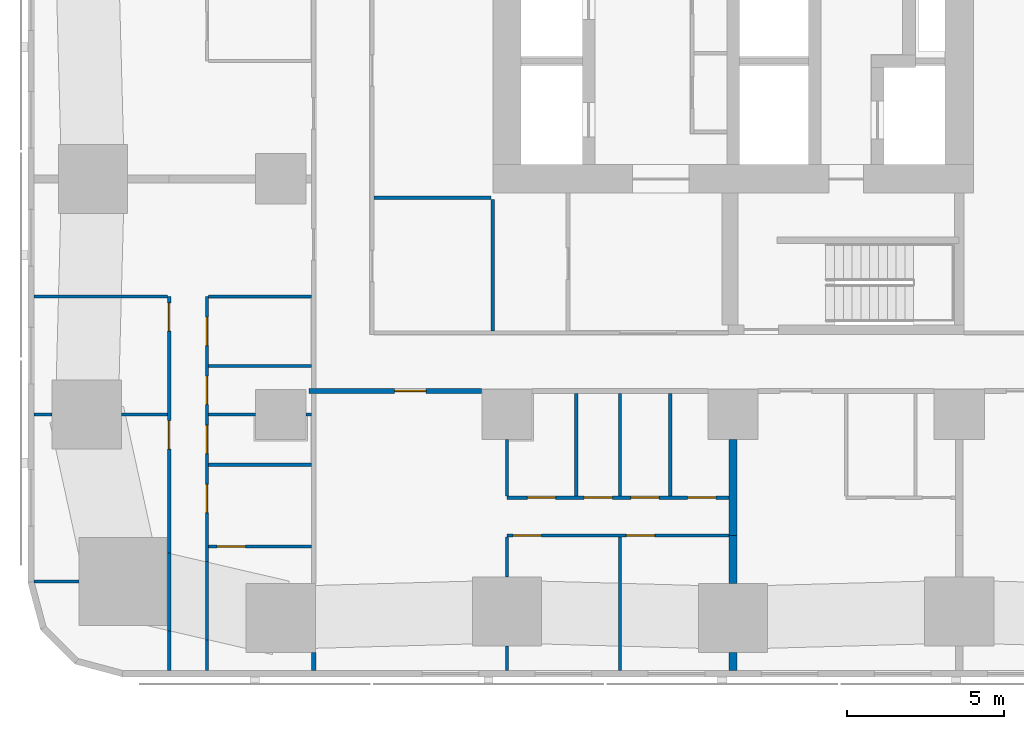
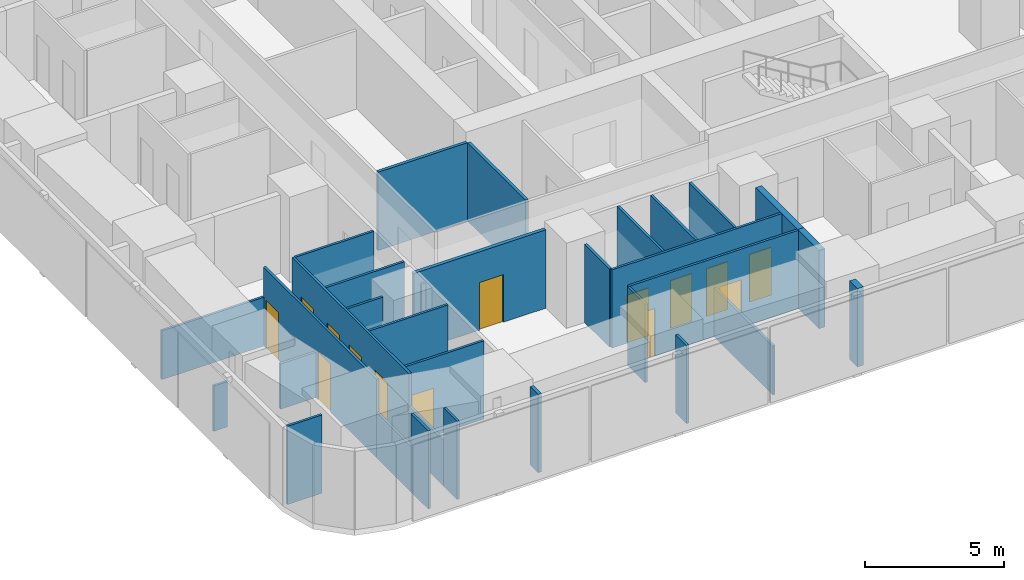
# One storey, part 2 of 14: 32 walls, 14 doors, 14 openings.
"""IFC4 building model written with IfcOpenShell, lengths in metres."""

from ifc_helpers import new_model, si_unit, direction, frame, frame_2d, origin, place, context, subcontext, project, spatial, rectangle, extrude, material, layer, layer_set, type_object, element, fill, save


model = new_model("IFC4")

# Units and contexts
model_context = context("Model", 3, precision=1e-05, world=origin(), true_north=direction((0.0, 1.0)))
body_context = subcontext(model_context, "Body", "Model", "MODEL_VIEW")
ifc_project = project(units=[si_unit("LENGTHUNIT", "METRE"), si_unit("AREAUNIT", "SQUARE_METRE"), si_unit("VOLUMEUNIT", "CUBIC_METRE"), si_unit("PLANEANGLEUNIT", "RADIAN"), si_unit("MASSUNIT", "GRAM", prefix="KILO")], contexts=[model_context])

# Site, building, storey
site_placement = place(None, origin())
site = spatial("IfcSite", under=ifc_project, at=site_placement, CompositionType="ELEMENT")
building_placement = place(site_placement, origin())
building = spatial("IfcBuilding", under=site, at=building_placement, Name="Sheger Commons Tower", CompositionType="ELEMENT")
storey_placement = place(building_placement, frame((0.0, 0.0, 126.64990234375)))
storey = spatial("IfcBuildingStorey", under=building, at=storey_placement, Name="L32", CompositionType="ELEMENT", Elevation=126.64990234375)

# Wall
ifc_material_1 = material(Name="Hollow concrete block masonry, skimmed both sides", Category="masonry")
ifc_layer_1 = layer(ifc_material_1, 0.14990234375)
ifc_layer_set_1 = layer_set([ifc_layer_1], Name="CORRIDOR WALL 150")
wall_type_1 = type_object("IfcWallType", Name="CORRIDOR WALL 150", PredefinedType="SOLIDWALL", material=ifc_layer_set_1)
wall_1_placement = place(storey_placement, frame((8.25, -0.64990234375, 0.0), z_axis=(0.0, 0.0, 1.0), x_axis=(0.0, 1.0, 0.0)))
element("IfcWall", 1, at=wall_1_placement, inside=storey, type_object=wall_type_1, Name="Corridor wall L32", PredefinedType="SOLIDWALL", context=body_context, shape_type="SweptSolid", body=[
    extrude(rectangle(XDim=0.573974609375, YDim=0.14990234375, at=frame_2d((0.287109375, 0.0))), origin(), (0.0, 0.0, 1.0), 3.4501953125),
])

# Wall, opening, door
wall_2_placement = place(storey_placement, frame((13.59912109375, 8.25, 0.0), z_axis=(0.0, 0.0, 1.0), x_axis=(-1.0, 0.0, 0.0)))
wall_2 = element("IfcWall", 2, at=wall_2_placement, inside=storey, type_object=wall_type_1, Name="Corridor wall L32", PredefinedType="SOLIDWALL", context=body_context, shape_type="SweptSolid", body=[
    extrude(rectangle(XDim=5.4990234375, YDim=0.14990234375, at=frame_2d((2.74951171875, 0.0))), origin(), (0.0, 0.0, 1.0), 3.4501953125),
])
opening_1_placement = place(wall_2_placement, frame((1.77392578125, 0.0, 0.0)))
opening_1 = element("IfcOpeningElement", 3, at=opening_1_placement, cuts=wall_2, Name="Opening D1", PredefinedType="OPENING", context=body_context, shape_type="SweptSolid", body=[
    extrude(rectangle(XDim=1.0, YDim=2.10009765625, at=frame_2d((0.5, 1.050048828125))), frame((0.0, 0.0849609375, 0.0), z_axis=(0.0, -1.0, 0.0), x_axis=(1.0, 0.0, 0.0)), (0.0, 0.0, 1.0), 0.169921875),
])
ifc_material_2 = material(Name="Steel door set, fire rated", Category="steel")
door_type_1 = type_object("IfcDoorType", Name="FLAT ENTRANCE DOOR 1000x2100", OperationType="NOTDEFINED", PredefinedType="DOOR", material=ifc_material_2)
door_1_placement = place(opening_1_placement, origin())
door_1 = element("IfcDoor", 4, at=door_1_placement, inside=storey, type_object=door_type_1, Name="Flat entrance door", OperationType="SINGLE_SWING_RIGHT", OverallHeight=2.10009765625, OverallWidth=1.0, PredefinedType="DOOR", context=body_context, shape_type="SweptSolid", body=[
    extrude(rectangle(XDim=1.0, YDim=2.10009765625, at=frame_2d((0.5, 1.050048828125))), frame((0.0, 0.02490234375, 0.0), z_axis=(0.0, -1.0, 0.0), x_axis=(1.0, 0.0, 0.0)), (0.0, 0.0, 1.0), 0.050048828125),
])
fill(opening_1, door_1)

# Walls
ifc_material_3 = material(Name="Dense concrete block masonry, plastered both sides (separating wall between flats)", Category="masonry")
ifc_layer_2 = layer(ifc_material_3, 0.25)
ifc_layer_set_2 = layer_set([ifc_layer_2], Name="DEMISING WALL 250")
wall_type_2 = type_object("IfcWallType", Name="DEMISING WALL 250", PredefinedType="SOLIDWALL", material=ifc_layer_set_2)
wall_3_placement = place(storey_placement, frame((21.60009765625, -0.64990234375, 0.0), z_axis=(0.0, 0.0, 1.0), x_axis=(0.0, 1.0, 0.0)))
element("IfcWall", 5, at=wall_3_placement, inside=storey, type_object=wall_type_2, Name="Demising wall L32", PredefinedType="SOLIDWALL", context=body_context, shape_type="SweptSolid", body=[
    extrude(rectangle(XDim=0.573974609375, YDim=0.25, at=frame_2d((0.287109375, 0.0))), origin(), (0.0, 0.0, 1.0), 3.4501953125),
])
wall_4_placement = place(storey_placement, frame((21.60009765625, 2.1259765625, 0.0), z_axis=(0.0, 0.0, 1.0), x_axis=(0.0, 1.0, 0.0)))
element("IfcWall", 6, at=wall_4_placement, inside=storey, type_object=wall_type_2, Name="Demising wall L32", PredefinedType="SOLIDWALL", context=body_context, shape_type="SweptSolid", body=[
    extrude(rectangle(XDim=1.52392578125, YDim=0.25, at=frame_2d((0.761962890625, 0.0))), origin(), (0.0, 0.0, 1.0), 3.4501953125),
])
wall_5_placement = place(storey_placement, frame((21.60009765625, 3.64990234375, 0.0), z_axis=(0.0, 0.0, 1.0), x_axis=(0.0, 1.0, 0.0)))
element("IfcWall", 7, at=wall_5_placement, inside=storey, type_object=wall_type_2, Name="Demising wall L32", PredefinedType="SOLIDWALL", context=body_context, shape_type="SweptSolid", body=[
    extrude(rectangle(XDim=3.049072265625, YDim=0.25, at=frame_2d((1.5244140625, 0.0))), origin(), (0.0, 0.0, 1.0), 3.4501953125),
])
ifc_material_4 = material(Name="Gypsum board on steel studs", Category="steel")
ifc_layer_3 = layer(ifc_material_4, 0.10009765625)
ifc_layer_set_3 = layer_set([ifc_layer_3], Name="PARTITION 100")
wall_type_3 = type_object("IfcWallType", Name="PARTITION 100", PredefinedType="PARTITIONING", material=ifc_layer_set_3)
wall_6_placement = place(storey_placement, frame((3.64990234375, -0.64990234375, 0.0), z_axis=(0.0, 0.0, 1.0), x_axis=(0.0, 1.0, 0.0)))
element("IfcWall", 8, at=wall_6_placement, inside=storey, type_object=wall_type_3, Name="Partition L32", PredefinedType="PARTITIONING", context=body_context, shape_type="SweptSolid", body=[
    extrude(rectangle(XDim=1.25390625, YDim=0.10009765625, at=frame_2d((0.626953125, 0.0))), origin(), (0.0, 0.0, 1.0), 3.4501953125),
])
wall_7_placement = place(storey_placement, frame((3.64990234375, 0.60400390625, 0.0), z_axis=(0.0, 0.0, 1.0), x_axis=(0.0, 1.0, 0.0)))
element("IfcWall", 9, at=wall_7_placement, inside=storey, type_object=wall_type_3, Name="Partition L32", PredefinedType="PARTITIONING", context=body_context, shape_type="SweptSolid", body=[
    extrude(rectangle(XDim=2.486083984375, YDim=0.10009765625, at=frame_2d((1.2431640625, 0.0))), origin(), (0.0, 0.0, 1.0), 2.0),
])

# Wall, openings, doors
wall_8_placement = place(storey_placement, frame((3.64990234375, 3.090087890625, 0.0), z_axis=(0.0, 0.0, 1.0), x_axis=(0.0, 1.0, 0.0)))
wall_8 = element("IfcWall", 10, at=wall_8_placement, inside=storey, type_object=wall_type_3, Name="Partition L32", PredefinedType="PARTITIONING", context=body_context, shape_type="SweptSolid", body=[
    extrude(rectangle(XDim=8.159912109375, YDim=0.10009765625, at=frame_2d((4.080078125, 0.0))), origin(), (0.0, 0.0, 1.0), 3.4501953125),
])
opening_2_placement = place(wall_8_placement, frame((7.06005859375, 0.0, 0.0)))
opening_2 = element("IfcOpeningElement", 11, at=opening_2_placement, cuts=wall_8, Name="Opening D2", PredefinedType="OPENING", context=body_context, shape_type="SweptSolid", body=[
    extrude(rectangle(XDim=0.89990234375, YDim=2.10009765625, at=frame_2d((0.449951171875, 1.050048828125))), frame((0.0, 0.06005859375, 0.0), z_axis=(0.0, -1.0, 0.0), x_axis=(1.0, 0.0, 0.0)), (0.0, 0.0, 1.0), 0.1201171875),
])
opening_3_placement = place(wall_8_placement, frame((3.31005859375, 0.0, 0.0)))
opening_3 = element("IfcOpeningElement", 12, at=opening_3_placement, cuts=wall_8, Name="Opening D2", PredefinedType="OPENING", context=body_context, shape_type="SweptSolid", body=[
    extrude(rectangle(XDim=0.89990234375, YDim=2.10009765625, at=frame_2d((0.449951171875, 1.050048828125))), frame((0.0, 0.06005859375, 0.0), z_axis=(0.0, -1.0, 0.0), x_axis=(1.0, 0.0, 0.0)), (0.0, 0.0, 1.0), 0.1201171875),
])
ifc_material_5 = material(Name="Timber door set", Category="wood")
door_type_2 = type_object("IfcDoorType", Name="INTERNAL DOOR 900x2100", OperationType="NOTDEFINED", PredefinedType="DOOR", material=ifc_material_5)
door_2_placement = place(opening_2_placement, origin())
door_2 = element("IfcDoor", 13, at=door_2_placement, inside=storey, type_object=door_type_2, Name="Main bedroom door", OperationType="SINGLE_SWING_RIGHT", OverallHeight=2.10009765625, OverallWidth=0.89990234375, PredefinedType="DOOR", context=body_context, shape_type="SweptSolid", body=[
    extrude(rectangle(XDim=0.89990234375, YDim=2.10009765625, at=frame_2d((0.449951171875, 1.050048828125))), frame((0.0, 0.02490234375, 0.0), z_axis=(0.0, -1.0, 0.0), x_axis=(1.0, 0.0, 0.0)), (0.0, 0.0, 1.0), 0.050048828125),
])
fill(opening_2, door_2)
door_3_placement = place(opening_3_placement, origin())
door_3 = element("IfcDoor", 14, at=door_3_placement, inside=storey, type_object=door_type_2, Name="Bedroom 2 door", OperationType="SINGLE_SWING_RIGHT", OverallHeight=2.10009765625, OverallWidth=0.89990234375, PredefinedType="DOOR", context=body_context, shape_type="SweptSolid", body=[
    extrude(rectangle(XDim=0.89990234375, YDim=2.10009765625, at=frame_2d((0.449951171875, 1.050048828125))), frame((0.0, 0.02490234375, 0.0), z_axis=(0.0, -1.0, 0.0), x_axis=(1.0, 0.0, 0.0)), (0.0, 0.0, 1.0), 0.050048828125),
])
fill(opening_3, door_3)

# Walls
wall_9_placement = place(storey_placement, frame((4.85009765625, -0.64990234375, 0.0), z_axis=(0.0, 0.0, 1.0), x_axis=(0.0, 1.0, 0.0)))
element("IfcWall", 15, at=wall_9_placement, inside=storey, type_object=wall_type_3, Name="Partition L32", PredefinedType="PARTITIONING", context=body_context, shape_type="SweptSolid", body=[
    extrude(rectangle(XDim=0.975830078125, YDim=0.10009765625, at=frame_2d((0.48779296875, 0.0))), origin(), (0.0, 0.0, 1.0), 3.4501953125),
])
wall_10_placement = place(storey_placement, frame((4.85009765625, 0.325927734375, 0.0), z_axis=(0.0, 0.0, 1.0), x_axis=(0.0, 1.0, 0.0)))
element("IfcWall", 16, at=wall_10_placement, inside=storey, type_object=wall_type_3, Name="Partition L32", PredefinedType="PARTITIONING", context=body_context, shape_type="SweptSolid", body=[
    extrude(rectangle(XDim=2.486083984375, YDim=0.10009765625, at=frame_2d((1.2431640625, 0.0))), origin(), (0.0, 0.0, 1.0), 2.0),
])

# Wall, openings, doors
wall_11_placement = place(storey_placement, frame((4.85009765625, 2.81201171875, 0.0), z_axis=(0.0, 0.0, 1.0), x_axis=(0.0, 1.0, 0.0)))
wall_11 = element("IfcWall", 17, at=wall_11_placement, inside=storey, type_object=wall_type_3, Name="Partition L32", PredefinedType="PARTITIONING", context=body_context, shape_type="SweptSolid", body=[
    extrude(rectangle(XDim=8.43798828125, YDim=0.10009765625, at=frame_2d((4.218994140625, 0.0))), origin(), (0.0, 0.0, 1.0), 3.4501953125),
])
opening_4_placement = place(wall_11_placement, frame((6.883056640625, 0.0, 0.0)))
opening_4 = element("IfcOpeningElement", 18, at=opening_4_placement, cuts=wall_11, Name="Opening D2", PredefinedType="OPENING", context=body_context, shape_type="SweptSolid", body=[
    extrude(rectangle(XDim=0.89990234375, YDim=2.10009765625, at=frame_2d((0.449951171875, 1.050048828125))), frame((0.0, 0.06005859375, 0.0), z_axis=(0.0, -1.0, 0.0), x_axis=(1.0, 0.0, 0.0)), (0.0, 0.0, 1.0), 0.1201171875),
])
opening_5_placement = place(wall_11_placement, frame((3.43798828125, 0.0, 0.0)))
opening_5 = element("IfcOpeningElement", 19, at=opening_5_placement, cuts=wall_11, Name="Opening D2", PredefinedType="OPENING", context=body_context, shape_type="SweptSolid", body=[
    extrude(rectangle(XDim=0.89990234375, YDim=2.10009765625, at=frame_2d((0.449951171875, 1.050048828125))), frame((0.0, 0.06005859375, 0.0), z_axis=(0.0, -1.0, 0.0), x_axis=(1.0, 0.0, 0.0)), (0.0, 0.0, 1.0), 0.1201171875),
])
opening_6_placement = place(wall_11_placement, frame((5.008056640625, 0.0, 0.0)))
opening_6 = element("IfcOpeningElement", 20, at=opening_6_placement, cuts=wall_11, Name="Opening D2", PredefinedType="OPENING", context=body_context, shape_type="SweptSolid", body=[
    extrude(rectangle(XDim=0.89990234375, YDim=2.10009765625, at=frame_2d((0.449951171875, 1.050048828125))), frame((0.0, 0.06005859375, 0.0), z_axis=(0.0, -1.0, 0.0), x_axis=(1.0, 0.0, 0.0)), (0.0, 0.0, 1.0), 0.1201171875),
])
opening_7_placement = place(wall_11_placement, frame((1.56298828125, 0.0, 0.0)))
opening_7 = element("IfcOpeningElement", 21, at=opening_7_placement, cuts=wall_11, Name="Opening D2", PredefinedType="OPENING", context=body_context, shape_type="SweptSolid", body=[
    extrude(rectangle(XDim=0.89990234375, YDim=2.10009765625, at=frame_2d((0.449951171875, 1.050048828125))), frame((0.0, 0.06005859375, 0.0), z_axis=(0.0, -1.0, 0.0), x_axis=(1.0, 0.0, 0.0)), (0.0, 0.0, 1.0), 0.1201171875),
])
door_4_placement = place(opening_4_placement, origin())
door_4 = element("IfcDoor", 22, at=door_4_placement, inside=storey, type_object=door_type_2, Name="Bathroom door", OperationType="SINGLE_SWING_LEFT", OverallHeight=2.10009765625, OverallWidth=0.89990234375, PredefinedType="DOOR", context=body_context, shape_type="SweptSolid", body=[
    extrude(rectangle(XDim=0.89990234375, YDim=2.10009765625, at=frame_2d((0.449951171875, 1.050048828125))), frame((0.0, 0.02490234375, 0.0), z_axis=(0.0, -1.0, 0.0), x_axis=(1.0, 0.0, 0.0)), (0.0, 0.0, 1.0), 0.050048828125),
])
fill(opening_4, door_4)
door_5_placement = place(opening_5_placement, origin())
door_5 = element("IfcDoor", 23, at=door_5_placement, inside=storey, type_object=door_type_2, Name="Shower room door", OperationType="SINGLE_SWING_LEFT", OverallHeight=2.10009765625, OverallWidth=0.89990234375, PredefinedType="DOOR", context=body_context, shape_type="SweptSolid", body=[
    extrude(rectangle(XDim=0.89990234375, YDim=2.10009765625, at=frame_2d((0.449951171875, 1.050048828125))), frame((0.0, 0.02490234375, 0.0), z_axis=(0.0, -1.0, 0.0), x_axis=(1.0, 0.0, 0.0)), (0.0, 0.0, 1.0), 0.050048828125),
])
fill(opening_5, door_5)
door_6_placement = place(opening_6_placement, origin())
door_6 = element("IfcDoor", 24, at=door_6_placement, inside=storey, type_object=door_type_2, Name="Store door", OperationType="SINGLE_SWING_RIGHT", OverallHeight=2.10009765625, OverallWidth=0.89990234375, PredefinedType="DOOR", context=body_context, shape_type="SweptSolid", body=[
    extrude(rectangle(XDim=0.89990234375, YDim=2.10009765625, at=frame_2d((0.449951171875, 1.050048828125))), frame((0.0, 0.02490234375, 0.0), z_axis=(0.0, -1.0, 0.0), x_axis=(1.0, 0.0, 0.0)), (0.0, 0.0, 1.0), 0.050048828125),
])
fill(opening_6, door_6)
door_7_placement = place(opening_7_placement, origin())
door_7 = element("IfcDoor", 25, at=door_7_placement, inside=storey, type_object=door_type_2, Name="Store door", OperationType="SINGLE_SWING_LEFT", OverallHeight=2.10009765625, OverallWidth=0.89990234375, PredefinedType="DOOR", context=body_context, shape_type="SweptSolid", body=[
    extrude(rectangle(XDim=0.89990234375, YDim=2.10009765625, at=frame_2d((0.449951171875, 1.050048828125))), frame((0.0, 0.02490234375, 0.0), z_axis=(0.0, -1.0, 0.0), x_axis=(1.0, 0.0, 0.0)), (0.0, 0.0, 1.0), 0.050048828125),
])
fill(opening_7, door_7)

# Walls
wall_12_placement = place(storey_placement, frame((-0.64990234375, 2.18603515625, 0.0), z_axis=(0.0, 0.0, 1.0), x_axis=(1.0, 0.0, 0.0)))
element("IfcWall", 26, at=wall_12_placement, inside=storey, type_object=wall_type_3, Name="Partition L32", PredefinedType="PARTITIONING", context=body_context, shape_type="SweptSolid", body=[
    extrude(rectangle(XDim=1.434814453125, YDim=0.10009765625, at=frame_2d((0.71728515625, 0.0))), origin(), (0.0, 0.0, 1.0), 3.4501953125),
])
wall_13_placement = place(storey_placement, frame((-0.64990234375, 7.5, 0.0), z_axis=(0.0, 0.0, 1.0), x_axis=(1.0, 0.0, 0.0)))
element("IfcWall", 27, at=wall_13_placement, inside=storey, type_object=wall_type_3, Name="Partition L32", PredefinedType="PARTITIONING", context=body_context, shape_type="SweptSolid", body=[
    extrude(rectangle(XDim=0.573974609375, YDim=0.10009765625, at=frame_2d((0.287109375, 0.0))), origin(), (0.0, 0.0, 1.0), 2.0),
])
wall_14_placement = place(storey_placement, frame((2.1259765625, 7.5, 0.0), z_axis=(0.0, 0.0, 1.0), x_axis=(1.0, 0.0, 0.0)))
element("IfcWall", 28, at=wall_14_placement, inside=storey, type_object=wall_type_3, Name="Partition L32", PredefinedType="PARTITIONING", context=body_context, shape_type="SweptSolid", body=[
    extrude(rectangle(XDim=1.47412109375, YDim=0.10009765625, at=frame_2d((0.737060546875, 0.0))), origin(), (0.0, 0.0, 1.0), 2.0),
])
wall_15_placement = place(storey_placement, frame((-0.64990234375, 11.25, 0.0), z_axis=(0.0, 0.0, 1.0), x_axis=(1.0, 0.0, 0.0)))
element("IfcWall", 29, at=wall_15_placement, inside=storey, type_object=wall_type_3, Name="Partition L32", PredefinedType="PARTITIONING", context=body_context, shape_type="SweptSolid", body=[
    extrude(rectangle(XDim=4.25, YDim=0.10009765625, at=frame_2d((2.125, 0.0))), origin(), (0.0, 0.0, 1.0), 2.150146484375),
])
wall_16_placement = place(storey_placement, frame((4.89990234375, 7.5, 0.0), z_axis=(0.0, 0.0, 1.0), x_axis=(1.0, 0.0, 0.0)))
element("IfcWall", 30, at=wall_16_placement, inside=storey, type_object=wall_type_3, Name="Partition L32", PredefinedType="PARTITIONING", context=body_context, shape_type="SweptSolid", body=[
    extrude(rectangle(XDim=1.4990234375, YDim=0.10009765625, at=frame_2d((0.74951171875, 0.0))), origin(), (0.0, 0.0, 1.0), 3.4501953125),
])
wall_17_placement = place(storey_placement, frame((8.0009765625, 7.5, 0.0), z_axis=(0.0, 0.0, 1.0), x_axis=(1.0, 0.0, 0.0)))
element("IfcWall", 31, at=wall_17_placement, inside=storey, type_object=wall_type_3, Name="Partition L32", PredefinedType="PARTITIONING", context=body_context, shape_type="SweptSolid", body=[
    extrude(rectangle(XDim=0.174072265625, YDim=0.10009765625, at=frame_2d((0.0869140625, 0.0))), origin(), (0.0, 0.0, 1.0), 3.4501953125),
])
for number, where, z_axis, x_axis, name in (
    (32, (4.89990234375, 11.25, 0.0), (0.0, 0.0, 1.0), (1.0, 0.0, 0.0), "Partition L32"),
    (33, (4.89990234375, 9.0400390625, 0.0), (0.0, 0.0, 1.0), (1.0, 0.0, 0.0), "Partition L32"),
    (34, (4.89990234375, 5.89990234375, 0.0), (0.0, 0.0, 1.0), (1.0, 0.0, 0.0), "Partition L32"),
):
    element("IfcWall", number, at=place(storey_placement, frame(where, z_axis=z_axis, x_axis=x_axis)), inside=storey, type_object=wall_type_3, Name=name, PredefinedType="PARTITIONING", context=body_context, shape_type="SweptSolid", body=[
        extrude(rectangle(XDim=3.275146484375, YDim=0.10009765625, at=frame_2d((1.6376953125, 0.0))), origin(), (0.0, 0.0, 1.0), 3.4501953125),
    ])

# Wall, openings, doors
wall_18_placement = place(storey_placement, frame((21.47509765625, 3.64990234375, 0.0), z_axis=(0.0, 0.0, 1.0), x_axis=(-1.0, 0.0, 0.0)))
wall_18 = element("IfcWall", 35, at=wall_18_placement, inside=storey, type_object=wall_type_3, Name="Partition L32", PredefinedType="PARTITIONING", context=body_context, shape_type="SweptSolid", body=[
    extrude(rectangle(XDim=7.0751953125, YDim=0.10009765625, at=frame_2d((3.53759765625, 0.0))), origin(), (0.0, 0.0, 1.0), 3.4501953125),
])
opening_8_placement = place(wall_18_placement, frame((5.97509765625, 0.0, 0.0)))
opening_8 = element("IfcOpeningElement", 36, at=opening_8_placement, cuts=wall_18, Name="Opening D2", PredefinedType="OPENING", context=body_context, shape_type="SweptSolid", body=[
    extrude(rectangle(XDim=0.89990234375, YDim=2.10009765625, at=frame_2d((0.449951171875, 1.050048828125))), frame((0.0, 0.06005859375, 0.0), z_axis=(0.0, -1.0, 0.0), x_axis=(1.0, 0.0, 0.0)), (0.0, 0.0, 1.0), 0.1201171875),
])
opening_9_placement = place(wall_18_placement, frame((2.375, 0.0, 0.0)))
opening_9 = element("IfcOpeningElement", 37, at=opening_9_placement, cuts=wall_18, Name="Opening D2", PredefinedType="OPENING", context=body_context, shape_type="SweptSolid", body=[
    extrude(rectangle(XDim=0.89990234375, YDim=2.10009765625, at=frame_2d((0.449951171875, 1.050048828125))), frame((0.0, 0.06005859375, 0.0), z_axis=(0.0, -1.0, 0.0), x_axis=(1.0, 0.0, 0.0)), (0.0, 0.0, 1.0), 0.1201171875),
])
door_8_placement = place(opening_8_placement, origin())
door_8 = element("IfcDoor", 38, at=door_8_placement, inside=storey, type_object=door_type_2, Name="Main bedroom door", OperationType="SINGLE_SWING_RIGHT", OverallHeight=2.10009765625, OverallWidth=0.89990234375, PredefinedType="DOOR", context=body_context, shape_type="SweptSolid", body=[
    extrude(rectangle(XDim=0.89990234375, YDim=2.10009765625, at=frame_2d((0.449951171875, 1.050048828125))), frame((0.0, 0.02490234375, 0.0), z_axis=(0.0, -1.0, 0.0), x_axis=(1.0, 0.0, 0.0)), (0.0, 0.0, 1.0), 0.050048828125),
])
fill(opening_8, door_8)
door_9_placement = place(opening_9_placement, origin())
door_9 = element("IfcDoor", 39, at=door_9_placement, inside=storey, type_object=door_type_2, Name="Bedroom 2 door", OperationType="SINGLE_SWING_RIGHT", OverallHeight=2.10009765625, OverallWidth=0.89990234375, PredefinedType="DOOR", context=body_context, shape_type="SweptSolid", body=[
    extrude(rectangle(XDim=0.89990234375, YDim=2.10009765625, at=frame_2d((0.449951171875, 1.050048828125))), frame((0.0, 0.02490234375, 0.0), z_axis=(0.0, -1.0, 0.0), x_axis=(1.0, 0.0, 0.0)), (0.0, 0.0, 1.0), 0.050048828125),
])
fill(opening_9, door_9)

wall_19_placement = place(storey_placement, frame((21.47509765625, 4.85009765625, 0.0), z_axis=(0.0, 0.0, 1.0), x_axis=(-1.0, 0.0, 0.0)))
wall_19 = element("IfcWall", 40, at=wall_19_placement, inside=storey, type_object=wall_type_3, Name="Partition L32", PredefinedType="PARTITIONING", context=body_context, shape_type="SweptSolid", body=[
    extrude(rectangle(XDim=7.0751953125, YDim=0.10009765625, at=frame_2d((3.53759765625, 0.0))), origin(), (0.0, 0.0, 1.0), 3.4501953125),
])
opening_10_placement = place(wall_19_placement, frame((5.52001953125, 0.0, 0.0)))
opening_10 = element("IfcOpeningElement", 41, at=opening_10_placement, cuts=wall_19, Name="Opening D2", PredefinedType="OPENING", context=body_context, shape_type="SweptSolid", body=[
    extrude(rectangle(XDim=0.89990234375, YDim=2.10009765625, at=frame_2d((0.449951171875, 1.050048828125))), frame((0.0, 0.06005859375, 0.0), z_axis=(0.0, -1.0, 0.0), x_axis=(1.0, 0.0, 0.0)), (0.0, 0.0, 1.0), 0.1201171875),
])
opening_11_placement = place(wall_19_placement, frame((2.22509765625, 0.0, 0.0)))
opening_11 = element("IfcOpeningElement", 42, at=opening_11_placement, cuts=wall_19, Name="Opening D2", PredefinedType="OPENING", context=body_context, shape_type="SweptSolid", body=[
    extrude(rectangle(XDim=0.89990234375, YDim=2.10009765625, at=frame_2d((0.449951171875, 1.050048828125))), frame((0.0, 0.06005859375, 0.0), z_axis=(0.0, -1.0, 0.0), x_axis=(1.0, 0.0, 0.0)), (0.0, 0.0, 1.0), 0.1201171875),
])
opening_12_placement = place(wall_19_placement, frame((3.719970703125, 0.0, 0.0)))
opening_12 = element("IfcOpeningElement", 43, at=opening_12_placement, cuts=wall_19, Name="Opening D2", PredefinedType="OPENING", context=body_context, shape_type="SweptSolid", body=[
    extrude(rectangle(XDim=0.89990234375, YDim=2.10009765625, at=frame_2d((0.449951171875, 1.050048828125))), frame((0.0, 0.06005859375, 0.0), z_axis=(0.0, -1.0, 0.0), x_axis=(1.0, 0.0, 0.0)), (0.0, 0.0, 1.0), 0.1201171875),
])
opening_13_placement = place(wall_19_placement, frame((0.425048828125, 0.0, 0.0)))
opening_13 = element("IfcOpeningElement", 44, at=opening_13_placement, cuts=wall_19, Name="Opening D2", PredefinedType="OPENING", context=body_context, shape_type="SweptSolid", body=[
    extrude(rectangle(XDim=0.89990234375, YDim=2.10009765625, at=frame_2d((0.449951171875, 1.050048828125))), frame((0.0, 0.06005859375, 0.0), z_axis=(0.0, -1.0, 0.0), x_axis=(1.0, 0.0, 0.0)), (0.0, 0.0, 1.0), 0.1201171875),
])
door_10_placement = place(opening_10_placement, origin())
door_10 = element("IfcDoor", 45, at=door_10_placement, inside=storey, type_object=door_type_2, Name="Bathroom door", OperationType="SINGLE_SWING_LEFT", OverallHeight=2.10009765625, OverallWidth=0.89990234375, PredefinedType="DOOR", context=body_context, shape_type="SweptSolid", body=[
    extrude(rectangle(XDim=0.89990234375, YDim=2.10009765625, at=frame_2d((0.449951171875, 1.050048828125))), frame((0.0, 0.02490234375, 0.0), z_axis=(0.0, -1.0, 0.0), x_axis=(1.0, 0.0, 0.0)), (0.0, 0.0, 1.0), 0.050048828125),
])
fill(opening_10, door_10)
door_11_placement = place(opening_11_placement, origin())
door_11 = element("IfcDoor", 46, at=door_11_placement, inside=storey, type_object=door_type_2, Name="Shower room door", OperationType="SINGLE_SWING_RIGHT", OverallHeight=2.10009765625, OverallWidth=0.89990234375, PredefinedType="DOOR", context=body_context, shape_type="SweptSolid", body=[
    extrude(rectangle(XDim=0.89990234375, YDim=2.10009765625, at=frame_2d((0.449951171875, 1.050048828125))), frame((0.0, 0.02490234375, 0.0), z_axis=(0.0, -1.0, 0.0), x_axis=(1.0, 0.0, 0.0)), (0.0, 0.0, 1.0), 0.050048828125),
])
fill(opening_11, door_11)
door_12_placement = place(opening_12_placement, origin())
door_12 = element("IfcDoor", 47, at=door_12_placement, inside=storey, type_object=door_type_2, Name="Store door", OperationType="SINGLE_SWING_RIGHT", OverallHeight=2.10009765625, OverallWidth=0.89990234375, PredefinedType="DOOR", context=body_context, shape_type="SweptSolid", body=[
    extrude(rectangle(XDim=0.89990234375, YDim=2.10009765625, at=frame_2d((0.449951171875, 1.050048828125))), frame((0.0, 0.02490234375, 0.0), z_axis=(0.0, -1.0, 0.0), x_axis=(1.0, 0.0, 0.0)), (0.0, 0.0, 1.0), 0.050048828125),
])
fill(opening_12, door_12)
door_13_placement = place(opening_13_placement, origin())
door_13 = element("IfcDoor", 48, at=door_13_placement, inside=storey, type_object=door_type_2, Name="Store door", OperationType="SINGLE_SWING_RIGHT", OverallHeight=2.10009765625, OverallWidth=0.89990234375, PredefinedType="DOOR", context=body_context, shape_type="SweptSolid", body=[
    extrude(rectangle(XDim=0.89990234375, YDim=2.10009765625, at=frame_2d((0.449951171875, 1.050048828125))), frame((0.0, 0.02490234375, 0.0), z_axis=(0.0, -1.0, 0.0), x_axis=(1.0, 0.0, 0.0)), (0.0, 0.0, 1.0), 0.050048828125),
])
fill(opening_13, door_13)

# Walls
wall_20_placement = place(storey_placement, frame((14.39990234375, -0.64990234375, 0.0), z_axis=(0.0, 0.0, 1.0), x_axis=(0.0, 1.0, 0.0)))
element("IfcWall", 49, at=wall_20_placement, inside=storey, type_object=wall_type_3, Name="Partition L32", PredefinedType="PARTITIONING", context=body_context, shape_type="SweptSolid", body=[
    extrude(rectangle(XDim=0.77392578125, YDim=0.10009765625, at=frame_2d((0.386962890625, 0.0))), origin(), (0.0, 0.0, 1.0), 3.4501953125),
])
wall_21_placement = place(storey_placement, frame((14.39990234375, 2.325927734375, 0.0), z_axis=(0.0, 0.0, 1.0), x_axis=(0.0, 1.0, 0.0)))
element("IfcWall", 50, at=wall_21_placement, inside=storey, type_object=wall_type_3, Name="Partition L32", PredefinedType="PARTITIONING", context=body_context, shape_type="SweptSolid", body=[
    extrude(rectangle(XDim=1.274169921875, YDim=0.10009765625, at=frame_2d((0.63720703125, 0.0))), origin(), (0.0, 0.0, 1.0), 3.4501953125),
])
wall_22_placement = place(storey_placement, frame((18.0, -0.64990234375, 0.0), z_axis=(0.0, 0.0, 1.0), x_axis=(0.0, 1.0, 0.0)))
element("IfcWall", 51, at=wall_22_placement, inside=storey, type_object=wall_type_3, Name="Partition L32", PredefinedType="PARTITIONING", context=body_context, shape_type="SweptSolid", body=[
    extrude(rectangle(XDim=4.25, YDim=0.10009765625, at=frame_2d((2.125, 0.0))), origin(), (0.0, 0.0, 1.0), 2.150146484375),
])
wall_23_placement = place(storey_placement, frame((14.39990234375, 4.89990234375, 0.0), z_axis=(0.0, 0.0, 1.0), x_axis=(0.0, 1.0, 0.0)))
element("IfcWall", 52, at=wall_23_placement, inside=storey, type_object=wall_type_3, Name="Partition L32", PredefinedType="PARTITIONING", context=body_context, shape_type="SweptSolid", body=[
    extrude(rectangle(XDim=1.799072265625, YDim=0.10009765625, at=frame_2d((0.8994140625, 0.0))), origin(), (0.0, 0.0, 1.0), 3.4501953125),
])
for number, where, z_axis, x_axis, name in (
    (53, (18.0, 4.89990234375, 0.0), (0.0, 0.0, 1.0), (0.0, 1.0, 0.0), "Partition L32"),
    (54, (16.610107421875, 4.89990234375, 0.0), (0.0, 0.0, 1.0), (0.0, 1.0, 0.0), "Partition L32"),
    (55, (19.60009765625, 4.89990234375, 0.0), (0.0, 0.0, 1.0), (0.0, 1.0, 0.0), "Partition L32"),
):
    element("IfcWall", number, at=place(storey_placement, frame(where, z_axis=z_axis, x_axis=x_axis)), inside=storey, type_object=wall_type_3, Name=name, PredefinedType="PARTITIONING", context=body_context, shape_type="SweptSolid", body=[
        extrude(rectangle(XDim=3.275146484375, YDim=0.10009765625, at=frame_2d((1.6376953125, 0.0))), origin(), (0.0, 0.0, 1.0), 3.4501953125),
    ])

# Wall, opening, door
wall_24_placement = place(storey_placement, frame((8.175048828125, 3.300048828125, 0.0), z_axis=(0.0, 0.0, 1.0), x_axis=(-1.0, 0.0, 0.0)))
wall_24 = element("IfcWall", 56, at=wall_24_placement, inside=storey, type_object=wall_type_3, Name="Partition L32", PredefinedType="PARTITIONING", context=body_context, shape_type="SweptSolid", body=[
    extrude(rectangle(XDim=3.275146484375, YDim=0.10009765625, at=frame_2d((1.6376953125, 0.0))), origin(), (0.0, 0.0, 1.0), 3.4501953125),
])
opening_14_placement = place(wall_24_placement, frame((2.10009765625, 0.0, 0.0)))
opening_14 = element("IfcOpeningElement", 57, at=opening_14_placement, cuts=wall_24, Name="Opening D2", PredefinedType="OPENING", context=body_context, shape_type="SweptSolid", body=[
    extrude(rectangle(XDim=0.89990234375, YDim=2.10009765625, at=frame_2d((0.449951171875, 1.050048828125))), frame((0.0, 0.06005859375, 0.0), z_axis=(0.0, -1.0, 0.0), x_axis=(1.0, 0.0, 0.0)), (0.0, 0.0, 1.0), 0.1201171875),
])
door_14_placement = place(opening_14_placement, origin())
door_14 = element("IfcDoor", 58, at=door_14_placement, inside=storey, type_object=door_type_2, Name="Store door", OperationType="SINGLE_SWING_LEFT", OverallHeight=2.10009765625, OverallWidth=0.89990234375, PredefinedType="DOOR", context=body_context, shape_type="SweptSolid", body=[
    extrude(rectangle(XDim=0.89990234375, YDim=2.10009765625, at=frame_2d((0.449951171875, 1.050048828125))), frame((0.0, 0.02490234375, 0.0), z_axis=(0.0, -1.0, 0.0), x_axis=(1.0, 0.0, 0.0)), (0.0, 0.0, 1.0), 0.050048828125),
])
fill(opening_14, door_14)

# Walls
ifc_material_6 = material(Name="Gypsum board on steel studs, two layers each side, fire rated", Category="steel")
ifc_layer_4 = layer(ifc_material_6, 0.125)
ifc_layer_set_4 = layer_set([ifc_layer_4], Name="SERVICE WALL 125")
wall_type_4 = type_object("IfcWallType", Name="SERVICE WALL 125", PredefinedType="PARTITIONING", material=ifc_layer_set_4)
wall_25_placement = place(storey_placement, frame((10.1630859375, 14.39990234375, 0.0), z_axis=(0.0, 0.0, 1.0), x_axis=(1.0, 0.0, 0.0)))
element("IfcWall", 59, at=wall_25_placement, inside=storey, type_object=wall_type_4, Name="Service room wall L32", PredefinedType="PARTITIONING", context=body_context, shape_type="SweptSolid", body=[
    extrude(rectangle(XDim=3.724853515625, YDim=0.125, at=frame_2d((1.8623046875, 0.0))), origin(), (0.0, 0.0, 1.0), 3.4501953125),
])
wall_26_placement = place(storey_placement, frame((13.949951171875, 10.1630859375, 0.0), z_axis=(0.0, 0.0, 1.0), x_axis=(0.0, 1.0, 0.0)))
element("IfcWall", 60, at=wall_26_placement, inside=storey, type_object=wall_type_4, Name="Service room wall L32", PredefinedType="PARTITIONING", context=body_context, shape_type="SweptSolid", body=[
    extrude(rectangle(XDim=4.1748046875, YDim=0.125, at=frame_2d((2.08740234375, 0.0))), origin(), (0.0, 0.0, 1.0), 3.4501953125),
])

save(model, "model.ifc")
